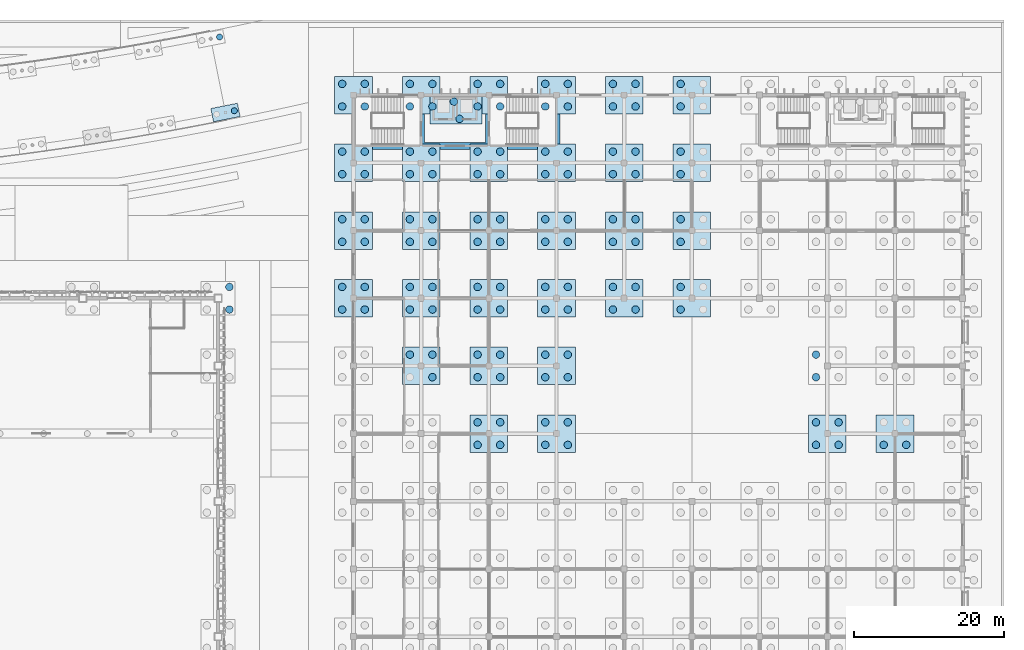
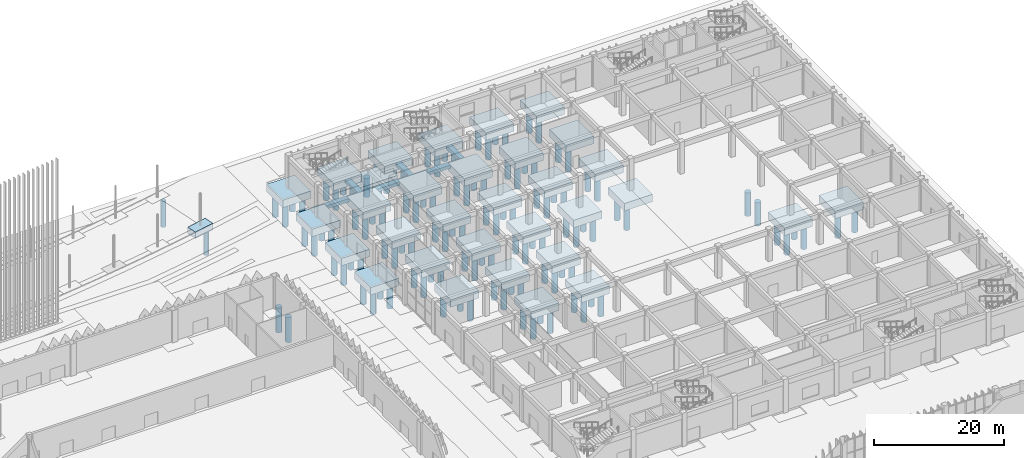
# One storey, part 16 of 198: 121 piles, 34 footings.
"""IFC4 building model written with IfcOpenShell, lengths in metres."""

from ifc_helpers import new_model, si_unit, direction, frame, origin, origin_2d, place, context, subcontext, project, spatial, polyline, circle, outline, extrude, material, layer, layer_set, material_profile, profile_set, type_object, element, save


model = new_model("IFC4")

# Units and contexts
model_context = context("Model", 3, precision=1e-05, world=origin(), true_north=direction((0.0, 1.0)))
body_context = subcontext(model_context, "Body", "Model", "MODEL_VIEW")
ifc_project = project(units=[si_unit("LENGTHUNIT", "METRE"), si_unit("AREAUNIT", "SQUARE_METRE"), si_unit("VOLUMEUNIT", "CUBIC_METRE"), si_unit("PLANEANGLEUNIT", "RADIAN"), si_unit("MASSUNIT", "GRAM", prefix="KILO")], contexts=[model_context])

# Site, building, storey
site_placement = place(None, origin())
site = spatial("IfcSite", under=ifc_project, at=site_placement, CompositionType="ELEMENT")
building_placement = place(site_placement, origin())
building = spatial("IfcBuilding", under=site, at=building_placement, Name="Opaline Strait Convention Centre", CompositionType="ELEMENT")
storey_placement = place(building_placement, origin())
storey = spatial("IfcBuildingStorey", under=building, at=storey_placement, Name="L00", CompositionType="ELEMENT", Elevation=0.0)

# Piles
ifc_material_1 = material(Name="Concrete C35", Category="concrete")
ifc_material_profile_1 = material_profile(ifc_material_1, circle(Radius=0.5, at=origin_2d()), Name="D1000")
ifc_profile_set_1 = profile_set([ifc_material_profile_1], Name="Concrete C35")
pile_type_1 = type_object("IfcPileType", Name="Bored pile D1000 C35", PredefinedType="BORED", material=ifc_profile_set_1)
for number, where, z_axis, x_axis, name in (
    (1, (262.5, 151.5, -1.300048828125), (0.0, 0.0, -1.0), (1.0, 0.0, 0.0), "Bored pile of cap 261/153"),
    (2, (262.5, 154.5, -1.300048828125), (0.0, 0.0, -1.0), (1.0, 0.0, 0.0), "Bored pile of cap 261/153"),
):
    element("IfcPile", number, at=place(storey_placement, frame(where, z_axis=z_axis, x_axis=x_axis)), inside=storey, type_object=pile_type_1, Name=name, PredefinedType="BORED", context=body_context, shape_type="SweptSolid", body=[
        extrude(circle(Radius=0.5, at=origin_2d()), origin(), (0.0, 0.0, 1.0), 4.699951171875),
    ])
ifc_material_profile_2 = material_profile(ifc_material_1, circle(Radius=0.5, at=origin_2d()), Name="D1000")
ifc_profile_set_2 = profile_set([ifc_material_profile_2], Name="Concrete C35")
pile_type_2 = type_object("IfcPileType", Name="Bored pile D1000 L3.6 C35", PredefinedType="BORED", material=ifc_profile_set_2)
for number, where, z_axis, x_axis, name in (
    (3, (292.35009765625, 179.14990234375, -2.39990234375), (0.0, 0.0, -1.0), (1.0, 0.0, 0.0), "MPL2 pile 1 of lift pit raft NW"),
    (4, (293.10009765625, 176.85009765625, -2.39990234375), (0.0, 0.0, -1.0), (1.0, 0.0, 0.0), "MPL2 pile 2 of lift pit raft NW"),
):
    element("IfcPile", number, at=place(storey_placement, frame(where, z_axis=z_axis, x_axis=x_axis)), inside=storey, type_object=pile_type_2, Name=name, PredefinedType="BORED", context=body_context, shape_type="SweptSolid", body=[
        extrude(circle(Radius=0.5, at=origin_2d()), origin(), (0.0, 0.0, 1.0), 3.60009765625),
    ])
ifc_material_profile_3 = material_profile(ifc_material_1, circle(Radius=0.5, at=origin_2d()), Name="D1000")
ifc_profile_set_3 = profile_set([ifc_material_profile_3], Name="Concrete C35")
pile_type_3 = type_object("IfcPileType", Name="Bored pile D1000 L4.4 C35", PredefinedType="BORED", material=ifc_profile_set_3)
for number, where, z_axis, x_axis, name in (
    (5, (277.5, 151.5, -1.60009765625), (0.0, 0.0, -1.0), (1.0, 0.0, 0.0), "MPL1 pile 1 of cap at 32/T"),
    (6, (277.5, 154.5, -1.60009765625), (0.0, 0.0, -1.0), (1.0, 0.0, 0.0), "MPL1 pile 2 of cap at 32/T"),
    (7, (280.5, 151.5, -1.60009765625), (0.0, 0.0, -1.0), (1.0, 0.0, 0.0), "MPL1 pile 3 of cap at 32/T"),
    (8, (280.5, 154.5, -1.60009765625), (0.0, 0.0, -1.0), (1.0, 0.0, 0.0), "MPL1 pile 4 of cap at 32/T"),
    (9, (277.5, 160.5, -1.60009765625), (0.0, 0.0, -1.0), (1.0, 0.0, 0.0), "MPL1 pile 1 of cap at 32/U"),
    (10, (277.5, 163.5, -1.60009765625), (0.0, 0.0, -1.0), (1.0, 0.0, 0.0), "MPL1 pile 2 of cap at 32/U"),
    (11, (280.5, 160.5, -1.60009765625), (0.0, 0.0, -1.0), (1.0, 0.0, 0.0), "MPL1 pile 3 of cap at 32/U"),
    (12, (280.5, 163.5, -1.60009765625), (0.0, 0.0, -1.0), (1.0, 0.0, 0.0), "MPL1 pile 4 of cap at 32/U"),
    (13, (277.5, 169.5, -1.60009765625), (0.0, 0.0, -1.0), (1.0, 0.0, 0.0), "MPL1 pile 1 of cap at 32/V"),
    (14, (277.5, 172.5, -1.60009765625), (0.0, 0.0, -1.0), (1.0, 0.0, 0.0), "MPL1 pile 2 of cap at 32/V"),
    (15, (280.5, 169.5, -1.60009765625), (0.0, 0.0, -1.0), (1.0, 0.0, 0.0), "MPL1 pile 3 of cap at 32/V"),
    (16, (280.5, 172.5, -1.60009765625), (0.0, 0.0, -1.0), (1.0, 0.0, 0.0), "MPL1 pile 4 of cap at 32/V"),
    (17, (277.5, 178.5, -1.60009765625), (0.0, 0.0, -1.0), (1.0, 0.0, 0.0), "MPL1 pile 1 of cap at 32/W"),
    (18, (277.5, 181.5, -1.60009765625), (0.0, 0.0, -1.0), (1.0, 0.0, 0.0), "MPL1 pile 2 of cap at 32/W"),
    (19, (280.5, 178.5, -1.60009765625), (0.0, 0.0, -1.0), (1.0, 0.0, 0.0), "MPL1 pile 3 of cap at 32/W"),
    (20, (280.5, 181.5, -1.60009765625), (0.0, 0.0, -1.0), (1.0, 0.0, 0.0), "MPL1 pile 4 of cap at 32/W"),
    (21, (286.5, 145.5, -1.60009765625), (0.0, 0.0, -1.0), (1.0, 0.0, 0.0), "MPL1 pile 2 of cap at 33/S"),
    (22, (289.5, 142.5, -1.60009765625), (0.0, 0.0, -1.0), (1.0, 0.0, 0.0), "MPL1 pile 3 of cap at 33/S"),
    (23, (289.5, 145.5, -1.60009765625), (0.0, 0.0, -1.0), (1.0, 0.0, 0.0), "MPL1 pile 4 of cap at 33/S"),
    (24, (286.5, 151.5, -1.60009765625), (0.0, 0.0, -1.0), (1.0, 0.0, 0.0), "MPL1 pile 1 of cap at 33/T"),
    (25, (286.5, 154.5, -1.60009765625), (0.0, 0.0, -1.0), (1.0, 0.0, 0.0), "MPL1 pile 2 of cap at 33/T"),
    (26, (289.5, 151.5, -1.60009765625), (0.0, 0.0, -1.0), (1.0, 0.0, 0.0), "MPL1 pile 3 of cap at 33/T"),
    (27, (289.5, 154.5, -1.60009765625), (0.0, 0.0, -1.0), (1.0, 0.0, 0.0), "MPL1 pile 4 of cap at 33/T"),
    (28, (286.5, 160.5, -1.60009765625), (0.0, 0.0, -1.0), (1.0, 0.0, 0.0), "MPL1 pile 1 of cap at 33/U"),
    (29, (286.5, 163.5, -1.60009765625), (0.0, 0.0, -1.0), (1.0, 0.0, 0.0), "MPL1 pile 2 of cap at 33/U"),
    (30, (289.5, 160.5, -1.60009765625), (0.0, 0.0, -1.0), (1.0, 0.0, 0.0), "MPL1 pile 3 of cap at 33/U"),
    (31, (289.5, 163.5, -1.60009765625), (0.0, 0.0, -1.0), (1.0, 0.0, 0.0), "MPL1 pile 4 of cap at 33/U"),
    (32, (286.5, 169.5, -1.60009765625), (0.0, 0.0, -1.0), (1.0, 0.0, 0.0), "MPL1 pile 1 of cap at 33/V"),
    (33, (286.5, 172.5, -1.60009765625), (0.0, 0.0, -1.0), (1.0, 0.0, 0.0), "MPL1 pile 2 of cap at 33/V"),
    (34, (289.5, 169.5, -1.60009765625), (0.0, 0.0, -1.0), (1.0, 0.0, 0.0), "MPL1 pile 3 of cap at 33/V"),
    (35, (289.5, 172.5, -1.60009765625), (0.0, 0.0, -1.0), (1.0, 0.0, 0.0), "MPL1 pile 4 of cap at 33/V"),
    (36, (286.5, 178.5, -1.60009765625), (0.0, 0.0, -1.0), (1.0, 0.0, 0.0), "MPL1 pile 1 of cap at 33/W"),
    (37, (286.5, 181.5, -1.60009765625), (0.0, 0.0, -1.0), (1.0, 0.0, 0.0), "MPL1 pile 2 of cap at 33/W"),
    (38, (289.5, 178.5, -1.60009765625), (0.0, 0.0, -1.0), (1.0, 0.0, 0.0), "MPL1 pile 3 of cap at 33/W"),
    (39, (289.5, 181.5, -1.60009765625), (0.0, 0.0, -1.0), (1.0, 0.0, 0.0), "MPL1 pile 4 of cap at 33/W"),
    (40, (295.5, 133.5, -1.60009765625), (0.0, 0.0, -1.0), (1.0, 0.0, 0.0), "MPL1 pile 1 of cap at 34/R"),
    (41, (295.5, 136.5, -1.60009765625), (0.0, 0.0, -1.0), (1.0, 0.0, 0.0), "MPL1 pile 2 of cap at 34/R"),
    (42, (298.5, 133.5, -1.60009765625), (0.0, 0.0, -1.0), (1.0, 0.0, 0.0), "MPL1 pile 3 of cap at 34/R"),
    (43, (298.5, 136.5, -1.60009765625), (0.0, 0.0, -1.0), (1.0, 0.0, 0.0), "MPL1 pile 4 of cap at 34/R"),
    (44, (295.5, 142.5, -1.60009765625), (0.0, 0.0, -1.0), (1.0, 0.0, 0.0), "MPL1 pile 1 of cap at 34/S"),
    (45, (295.5, 145.5, -1.60009765625), (0.0, 0.0, -1.0), (1.0, 0.0, 0.0), "MPL1 pile 2 of cap at 34/S"),
    (46, (298.5, 142.5, -1.60009765625), (0.0, 0.0, -1.0), (1.0, 0.0, 0.0), "MPL1 pile 3 of cap at 34/S"),
    (47, (298.5, 145.5, -1.60009765625), (0.0, 0.0, -1.0), (1.0, 0.0, 0.0), "MPL1 pile 4 of cap at 34/S"),
    (48, (295.5, 151.5, -1.60009765625), (0.0, 0.0, -1.0), (1.0, 0.0, 0.0), "MPL1 pile 1 of cap at 34/T"),
    (49, (295.5, 154.5, -1.60009765625), (0.0, 0.0, -1.0), (1.0, 0.0, 0.0), "MPL1 pile 2 of cap at 34/T"),
    (50, (298.5, 151.5, -1.60009765625), (0.0, 0.0, -1.0), (1.0, 0.0, 0.0), "MPL1 pile 3 of cap at 34/T"),
    (51, (298.5, 154.5, -1.60009765625), (0.0, 0.0, -1.0), (1.0, 0.0, 0.0), "MPL1 pile 4 of cap at 34/T"),
    (52, (295.5, 160.5, -1.60009765625), (0.0, 0.0, -1.0), (1.0, 0.0, 0.0), "MPL1 pile 1 of cap at 34/U"),
    (53, (295.5, 163.5, -1.60009765625), (0.0, 0.0, -1.0), (1.0, 0.0, 0.0), "MPL1 pile 2 of cap at 34/U"),
    (54, (298.5, 160.5, -1.60009765625), (0.0, 0.0, -1.0), (1.0, 0.0, 0.0), "MPL1 pile 3 of cap at 34/U"),
    (55, (298.5, 163.5, -1.60009765625), (0.0, 0.0, -1.0), (1.0, 0.0, 0.0), "MPL1 pile 4 of cap at 34/U"),
    (56, (295.5, 169.5, -1.60009765625), (0.0, 0.0, -1.0), (1.0, 0.0, 0.0), "MPL1 pile 1 of cap at 34/V"),
    (57, (295.5, 172.5, -1.60009765625), (0.0, 0.0, -1.0), (1.0, 0.0, 0.0), "MPL1 pile 2 of cap at 34/V"),
    (58, (298.5, 169.5, -1.60009765625), (0.0, 0.0, -1.0), (1.0, 0.0, 0.0), "MPL1 pile 3 of cap at 34/V"),
    (59, (298.5, 172.5, -1.60009765625), (0.0, 0.0, -1.0), (1.0, 0.0, 0.0), "MPL1 pile 4 of cap at 34/V"),
    (60, (295.5, 178.5, -1.60009765625), (0.0, 0.0, -1.0), (1.0, 0.0, 0.0), "MPL1 pile 1 of cap at 34/W"),
    (61, (295.5, 181.5, -1.60009765625), (0.0, 0.0, -1.0), (1.0, 0.0, 0.0), "MPL1 pile 2 of cap at 34/W"),
    (62, (298.5, 178.5, -1.60009765625), (0.0, 0.0, -1.0), (1.0, 0.0, 0.0), "MPL1 pile 3 of cap at 34/W"),
    (63, (298.5, 181.5, -1.60009765625), (0.0, 0.0, -1.0), (1.0, 0.0, 0.0), "MPL1 pile 4 of cap at 34/W"),
    (64, (304.5, 133.5, -1.60009765625), (0.0, 0.0, -1.0), (1.0, 0.0, 0.0), "MPL1 pile 1 of cap at 35/R"),
    (65, (304.5, 136.5, -1.60009765625), (0.0, 0.0, -1.0), (1.0, 0.0, 0.0), "MPL1 pile 2 of cap at 35/R"),
    (66, (307.5, 133.5, -1.60009765625), (0.0, 0.0, -1.0), (1.0, 0.0, 0.0), "MPL1 pile 3 of cap at 35/R"),
    (67, (307.5, 136.5, -1.60009765625), (0.0, 0.0, -1.0), (1.0, 0.0, 0.0), "MPL1 pile 4 of cap at 35/R"),
    (68, (304.5, 142.5, -1.60009765625), (0.0, 0.0, -1.0), (1.0, 0.0, 0.0), "MPL1 pile 1 of cap at 35/S"),
    (69, (304.5, 145.5, -1.60009765625), (0.0, 0.0, -1.0), (1.0, 0.0, 0.0), "MPL1 pile 2 of cap at 35/S"),
    (70, (307.5, 142.5, -1.60009765625), (0.0, 0.0, -1.0), (1.0, 0.0, 0.0), "MPL1 pile 3 of cap at 35/S"),
    (71, (307.5, 145.5, -1.60009765625), (0.0, 0.0, -1.0), (1.0, 0.0, 0.0), "MPL1 pile 4 of cap at 35/S"),
    (72, (304.5, 151.5, -1.60009765625), (0.0, 0.0, -1.0), (1.0, 0.0, 0.0), "MPL1 pile 1 of cap at 35/T"),
    (73, (304.5, 154.5, -1.60009765625), (0.0, 0.0, -1.0), (1.0, 0.0, 0.0), "MPL1 pile 2 of cap at 35/T"),
    (74, (307.5, 151.5, -1.60009765625), (0.0, 0.0, -1.0), (1.0, 0.0, 0.0), "MPL1 pile 3 of cap at 35/T"),
    (75, (307.5, 154.5, -1.60009765625), (0.0, 0.0, -1.0), (1.0, 0.0, 0.0), "MPL1 pile 4 of cap at 35/T"),
    (76, (304.5, 160.5, -1.60009765625), (0.0, 0.0, -1.0), (1.0, 0.0, 0.0), "MPL1 pile 1 of cap at 35/U"),
    (77, (304.5, 163.5, -1.60009765625), (0.0, 0.0, -1.0), (1.0, 0.0, 0.0), "MPL1 pile 2 of cap at 35/U"),
    (78, (307.5, 160.5, -1.60009765625), (0.0, 0.0, -1.0), (1.0, 0.0, 0.0), "MPL1 pile 3 of cap at 35/U"),
    (79, (307.5, 163.5, -1.60009765625), (0.0, 0.0, -1.0), (1.0, 0.0, 0.0), "MPL1 pile 4 of cap at 35/U"),
    (80, (304.5, 169.5, -1.60009765625), (0.0, 0.0, -1.0), (1.0, 0.0, 0.0), "MPL1 pile 1 of cap at 35/V"),
    (81, (304.5, 172.5, -1.60009765625), (0.0, 0.0, -1.0), (1.0, 0.0, 0.0), "MPL1 pile 2 of cap at 35/V"),
    (82, (307.5, 169.5, -1.60009765625), (0.0, 0.0, -1.0), (1.0, 0.0, 0.0), "MPL1 pile 3 of cap at 35/V"),
    (83, (307.5, 172.5, -1.60009765625), (0.0, 0.0, -1.0), (1.0, 0.0, 0.0), "MPL1 pile 4 of cap at 35/V"),
    (84, (304.5, 178.5, -1.60009765625), (0.0, 0.0, -1.0), (1.0, 0.0, 0.0), "MPL1 pile 1 of cap at 35/W"),
    (85, (304.5, 181.5, -1.60009765625), (0.0, 0.0, -1.0), (1.0, 0.0, 0.0), "MPL1 pile 2 of cap at 35/W"),
    (86, (307.5, 178.5, -1.60009765625), (0.0, 0.0, -1.0), (1.0, 0.0, 0.0), "MPL1 pile 3 of cap at 35/W"),
    (87, (307.5, 181.5, -1.60009765625), (0.0, 0.0, -1.0), (1.0, 0.0, 0.0), "MPL1 pile 4 of cap at 35/W"),
    (88, (313.5, 151.5, -1.60009765625), (0.0, 0.0, -1.0), (1.0, 0.0, 0.0), "MPL1 pile 1 of cap at 36/T"),
    (89, (313.5, 154.5, -1.60009765625), (0.0, 0.0, -1.0), (1.0, 0.0, 0.0), "MPL1 pile 2 of cap at 36/T"),
    (90, (316.5, 151.5, -1.60009765625), (0.0, 0.0, -1.0), (1.0, 0.0, 0.0), "MPL1 pile 3 of cap at 36/T"),
    (91, (316.5, 154.5, -1.60009765625), (0.0, 0.0, -1.0), (1.0, 0.0, 0.0), "MPL1 pile 4 of cap at 36/T"),
    (92, (313.5, 160.5, -1.60009765625), (0.0, 0.0, -1.0), (1.0, 0.0, 0.0), "MPL1 pile 1 of cap at 36/U"),
    (93, (313.5, 163.5, -1.60009765625), (0.0, 0.0, -1.0), (1.0, 0.0, 0.0), "MPL1 pile 2 of cap at 36/U"),
    (94, (316.5, 160.5, -1.60009765625), (0.0, 0.0, -1.0), (1.0, 0.0, 0.0), "MPL1 pile 3 of cap at 36/U"),
    (95, (316.5, 163.5, -1.60009765625), (0.0, 0.0, -1.0), (1.0, 0.0, 0.0), "MPL1 pile 4 of cap at 36/U"),
    (96, (313.5, 169.5, -1.60009765625), (0.0, 0.0, -1.0), (1.0, 0.0, 0.0), "MPL1 pile 1 of cap at 36/V"),
    (97, (313.5, 172.5, -1.60009765625), (0.0, 0.0, -1.0), (1.0, 0.0, 0.0), "MPL1 pile 2 of cap at 36/V"),
    (98, (316.5, 169.5, -1.60009765625), (0.0, 0.0, -1.0), (1.0, 0.0, 0.0), "MPL1 pile 3 of cap at 36/V"),
    (99, (316.5, 172.5, -1.60009765625), (0.0, 0.0, -1.0), (1.0, 0.0, 0.0), "MPL1 pile 4 of cap at 36/V"),
    (100, (313.5, 178.5, -1.60009765625), (0.0, 0.0, -1.0), (1.0, 0.0, 0.0), "MPL1 pile 1 of cap at 36/W"),
    (101, (313.5, 181.5, -1.60009765625), (0.0, 0.0, -1.0), (1.0, 0.0, 0.0), "MPL1 pile 2 of cap at 36/W"),
    (102, (316.5, 178.5, -1.60009765625), (0.0, 0.0, -1.0), (1.0, 0.0, 0.0), "MPL1 pile 3 of cap at 36/W"),
    (103, (316.5, 181.5, -1.60009765625), (0.0, 0.0, -1.0), (1.0, 0.0, 0.0), "MPL1 pile 4 of cap at 36/W"),
    (104, (322.5, 151.5, -1.60009765625), (0.0, 0.0, -1.0), (1.0, 0.0, 0.0), "MPL1 pile 1 of cap at 37/T"),
    (105, (322.5, 154.5, -1.60009765625), (0.0, 0.0, -1.0), (1.0, 0.0, 0.0), "MPL1 pile 2 of cap at 37/T"),
    (106, (322.5, 160.5, -1.60009765625), (0.0, 0.0, -1.0), (1.0, 0.0, 0.0), "MPL1 pile 1 of cap at 37/U"),
    (107, (322.5, 163.5, -1.60009765625), (0.0, 0.0, -1.0), (1.0, 0.0, 0.0), "MPL1 pile 2 of cap at 37/U"),
    (108, (322.5, 169.5, -1.60009765625), (0.0, 0.0, -1.0), (1.0, 0.0, 0.0), "MPL1 pile 1 of cap at 37/V"),
    (109, (322.5, 172.5, -1.60009765625), (0.0, 0.0, -1.0), (1.0, 0.0, 0.0), "MPL1 pile 2 of cap at 37/V"),
    (110, (322.5, 178.5, -1.60009765625), (0.0, 0.0, -1.0), (1.0, 0.0, 0.0), "MPL1 pile 1 of cap at 37/W"),
    (111, (322.5, 181.5, -1.60009765625), (0.0, 0.0, -1.0), (1.0, 0.0, 0.0), "MPL1 pile 2 of cap at 37/W"),
    (112, (340.5, 133.5, -1.60009765625), (0.0, 0.0, -1.0), (1.0, 0.0, 0.0), "MPL1 pile 1 of cap at 39/R"),
    (113, (340.5, 136.5, -1.60009765625), (0.0, 0.0, -1.0), (1.0, 0.0, 0.0), "MPL1 pile 2 of cap at 39/R"),
    (114, (343.5, 133.5, -1.60009765625), (0.0, 0.0, -1.0), (1.0, 0.0, 0.0), "MPL1 pile 3 of cap at 39/R"),
    (115, (343.5, 136.5, -1.60009765625), (0.0, 0.0, -1.0), (1.0, 0.0, 0.0), "MPL1 pile 4 of cap at 39/R"),
    (116, (340.5, 142.5, -1.60009765625), (0.0, 0.0, -1.0), (1.0, 0.0, 0.0), "MPL1 pile 1 of cap at 39/S"),
    (117, (340.5, 145.5, -1.60009765625), (0.0, 0.0, -1.0), (1.0, 0.0, 0.0), "MPL1 pile 2 of cap at 39/S"),
    (118, (349.5, 133.5, -1.60009765625), (0.0, 0.0, -1.0), (1.0, 0.0, 0.0), "MPL1 pile 1 of cap at 40/R"),
    (119, (352.5, 133.5, -1.60009765625), (0.0, 0.0, -1.0), (1.0, 0.0, 0.0), "MPL1 pile 3 of cap at 40/R"),
):
    element("IfcPile", number, at=place(storey_placement, frame(where, z_axis=z_axis, x_axis=x_axis)), inside=storey, type_object=pile_type_3, Name=name, PredefinedType="BORED", context=body_context, shape_type="SweptSolid", body=[
        extrude(circle(Radius=0.5, at=origin_2d()), origin(), (0.0, 0.0, 1.0), 4.39990234375),
    ])
ifc_material_profile_4 = material_profile(ifc_material_1, circle(Radius=0.39990234375, at=origin_2d()), Name="D800")
ifc_profile_set_4 = profile_set([ifc_material_profile_4], Name="Concrete C35")
pile_type_4 = type_object("IfcPileType", Name="Bored pile D800 L4.9 C35", PredefinedType="BORED", material=ifc_profile_set_4)
for number, where, z_axis, x_axis, name in (
    (120, (263.1572265625, 177.932373046875, -1.10009765625), (0.0, 0.0, -1.0), (1.0, 0.0, 0.0), "Bored pile of arcade cap SC-I20"),
    (121, (261.196044921875, 187.73828125, -1.10009765625), (0.0, 0.0, -1.0), (1.0, 0.0, 0.0), "Bored pile of arcade cap SC-O20"),
):
    element("IfcPile", number, at=place(storey_placement, frame(where, z_axis=z_axis, x_axis=x_axis)), inside=storey, type_object=pile_type_4, Name=name, PredefinedType="BORED", context=body_context, shape_type="SweptSolid", body=[
        extrude(circle(Radius=0.39990234375, at=origin_2d()), origin(), (0.0, 0.0, 1.0), 4.89990234375),
    ])

# Footings
ifc_material_2 = material(Name="Concrete C40", Category="concrete")
ifc_layer_1 = layer(ifc_material_2, 1.199951171875)
ifc_layer_set_1 = layer_set([ifc_layer_1], Name="Concrete C40")
footing_type_1 = type_object("IfcFootingType", Name="Pile cap 3600 x 1800 x 1200 C40", PredefinedType="PILE_CAP", material=ifc_layer_set_1)
footing_1_placement = place(storey_placement, frame((0.0, 0.0, -1.199951171875)))
element("IfcFooting", 122, at=footing_1_placement, inside=storey, type_object=footing_type_1, Name="Arcade pile cap at SC-I20", PredefinedType="PILE_CAP", context=body_context, shape_type="SweptSolid", body=[
    extrude(outline(polyline([(260.39208984375, 176.461669921875), (263.922119140625, 177.16748046875), (263.569091796875, 178.9326171875), (260.0390625, 178.2265625), (260.39208984375, 176.461669921875)])), origin(), (0.0, 0.0, 1.0), 1.199951171875),
])
ifc_layer_2 = layer(ifc_material_2, 1.39990234375)
ifc_layer_set_2 = layer_set([ifc_layer_2], Name="Concrete C40")
footing_type_2 = type_object("IfcFootingType", Name="Pile cap 4 piles 5000x5000x1400 C40", PredefinedType="PILE_CAP", material=ifc_layer_set_2)
footing_2_placement = place(storey_placement, frame((0.0, 0.0, -1.699951171875)))
element("IfcFooting", 123, at=footing_2_placement, inside=storey, type_object=footing_type_2, Name="MPC1 pile cap at 32/T", PredefinedType="PILE_CAP", context=body_context, shape_type="SweptSolid", body=[
    extrude(outline(polyline([(276.5, 150.5), (281.5, 150.5), (281.5, 155.5), (276.5, 155.5), (276.5, 150.5)])), origin(), (0.0, 0.0, 1.0), 1.39990234375),
])
footing_3_placement = place(storey_placement, frame((0.0, 0.0, -1.699951171875)))
element("IfcFooting", 124, at=footing_3_placement, inside=storey, type_object=footing_type_2, Name="MPC1 pile cap at 32/U", PredefinedType="PILE_CAP", context=body_context, shape_type="SweptSolid", body=[
    extrude(outline(polyline([(276.5, 159.5), (281.5, 159.5), (281.5, 164.5), (276.5, 164.5), (276.5, 159.5)])), origin(), (0.0, 0.0, 1.0), 1.39990234375),
])
footing_4_placement = place(storey_placement, frame((0.0, 0.0, -1.699951171875)))
element("IfcFooting", 125, at=footing_4_placement, inside=storey, type_object=footing_type_2, Name="MPC1 pile cap at 32/V", PredefinedType="PILE_CAP", context=body_context, shape_type="SweptSolid", body=[
    extrude(outline(polyline([(276.5, 168.5), (281.5, 168.5), (281.5, 173.5), (276.5, 173.5), (276.5, 168.5)])), origin(), (0.0, 0.0, 1.0), 1.39990234375),
])
footing_5_placement = place(storey_placement, frame((0.0, 0.0, -1.699951171875)))
element("IfcFooting", 126, at=footing_5_placement, inside=storey, type_object=footing_type_2, Name="MPC1 pile cap at 32/W", PredefinedType="PILE_CAP", context=body_context, shape_type="SweptSolid", body=[
    extrude(outline(polyline([(276.5, 177.5), (281.5, 177.5), (281.5, 182.5), (276.5, 182.5), (276.5, 177.5)])), origin(), (0.0, 0.0, 1.0), 1.39990234375),
])
footing_6_placement = place(storey_placement, frame((0.0, 0.0, -1.699951171875)))
element("IfcFooting", 127, at=footing_6_placement, inside=storey, type_object=footing_type_2, Name="MPC1 pile cap at 33/S", PredefinedType="PILE_CAP", context=body_context, shape_type="SweptSolid", body=[
    extrude(outline(polyline([(285.5, 141.5), (290.5, 141.5), (290.5, 146.5), (285.5, 146.5), (285.5, 141.5)])), origin(), (0.0, 0.0, 1.0), 1.39990234375),
])
footing_7_placement = place(storey_placement, frame((0.0, 0.0, -1.699951171875)))
element("IfcFooting", 128, at=footing_7_placement, inside=storey, type_object=footing_type_2, Name="MPC1 pile cap at 33/T", PredefinedType="PILE_CAP", context=body_context, shape_type="SweptSolid", body=[
    extrude(outline(polyline([(285.5, 150.5), (290.5, 150.5), (290.5, 155.5), (285.5, 155.5), (285.5, 150.5)])), origin(), (0.0, 0.0, 1.0), 1.39990234375),
])
footing_8_placement = place(storey_placement, frame((0.0, 0.0, -1.699951171875)))
element("IfcFooting", 129, at=footing_8_placement, inside=storey, type_object=footing_type_2, Name="MPC1 pile cap at 33/U", PredefinedType="PILE_CAP", context=body_context, shape_type="SweptSolid", body=[
    extrude(outline(polyline([(285.5, 159.5), (290.5, 159.5), (290.5, 164.5), (285.5, 164.5), (285.5, 159.5)])), origin(), (0.0, 0.0, 1.0), 1.39990234375),
])
footing_9_placement = place(storey_placement, frame((0.0, 0.0, -1.699951171875)))
element("IfcFooting", 130, at=footing_9_placement, inside=storey, type_object=footing_type_2, Name="MPC1 pile cap at 33/V", PredefinedType="PILE_CAP", context=body_context, shape_type="SweptSolid", body=[
    extrude(outline(polyline([(285.5, 168.5), (290.5, 168.5), (290.5, 173.5), (285.5, 173.5), (285.5, 168.5)])), origin(), (0.0, 0.0, 1.0), 1.39990234375),
])
footing_10_placement = place(storey_placement, frame((0.0, 0.0, -1.699951171875)))
element("IfcFooting", 131, at=footing_10_placement, inside=storey, type_object=footing_type_2, Name="MPC1 pile cap at 33/W", PredefinedType="PILE_CAP", context=body_context, shape_type="SweptSolid", body=[
    extrude(outline(polyline([(285.5, 177.5), (290.5, 177.5), (290.5, 182.5), (285.5, 182.5), (285.5, 177.5)])), origin(), (0.0, 0.0, 1.0), 1.39990234375),
])
footing_11_placement = place(storey_placement, frame((0.0, 0.0, -1.699951171875)))
element("IfcFooting", 132, at=footing_11_placement, inside=storey, type_object=footing_type_2, Name="MPC1 pile cap at 34/R", PredefinedType="PILE_CAP", context=body_context, shape_type="SweptSolid", body=[
    extrude(outline(polyline([(294.5, 132.5), (299.5, 132.5), (299.5, 137.5), (294.5, 137.5), (294.5, 132.5)])), origin(), (0.0, 0.0, 1.0), 1.39990234375),
])
footing_12_placement = place(storey_placement, frame((0.0, 0.0, -1.699951171875)))
element("IfcFooting", 133, at=footing_12_placement, inside=storey, type_object=footing_type_2, Name="MPC1 pile cap at 34/S", PredefinedType="PILE_CAP", context=body_context, shape_type="SweptSolid", body=[
    extrude(outline(polyline([(294.5, 141.5), (299.5, 141.5), (299.5, 146.5), (294.5, 146.5), (294.5, 141.5)])), origin(), (0.0, 0.0, 1.0), 1.39990234375),
])
footing_13_placement = place(storey_placement, frame((0.0, 0.0, -1.699951171875)))
element("IfcFooting", 134, at=footing_13_placement, inside=storey, type_object=footing_type_2, Name="MPC1 pile cap at 34/T", PredefinedType="PILE_CAP", context=body_context, shape_type="SweptSolid", body=[
    extrude(outline(polyline([(294.5, 150.5), (299.5, 150.5), (299.5, 155.5), (294.5, 155.5), (294.5, 150.5)])), origin(), (0.0, 0.0, 1.0), 1.39990234375),
])
footing_14_placement = place(storey_placement, frame((0.0, 0.0, -1.699951171875)))
element("IfcFooting", 135, at=footing_14_placement, inside=storey, type_object=footing_type_2, Name="MPC1 pile cap at 34/U", PredefinedType="PILE_CAP", context=body_context, shape_type="SweptSolid", body=[
    extrude(outline(polyline([(294.5, 159.5), (299.5, 159.5), (299.5, 164.5), (294.5, 164.5), (294.5, 159.5)])), origin(), (0.0, 0.0, 1.0), 1.39990234375),
])
footing_15_placement = place(storey_placement, frame((0.0, 0.0, -1.699951171875)))
element("IfcFooting", 136, at=footing_15_placement, inside=storey, type_object=footing_type_2, Name="MPC1 pile cap at 34/V", PredefinedType="PILE_CAP", context=body_context, shape_type="SweptSolid", body=[
    extrude(outline(polyline([(294.5, 168.5), (299.5, 168.5), (299.5, 173.5), (294.5, 173.5), (294.5, 168.5)])), origin(), (0.0, 0.0, 1.0), 1.39990234375),
])
footing_16_placement = place(storey_placement, frame((0.0, 0.0, -1.699951171875)))
element("IfcFooting", 137, at=footing_16_placement, inside=storey, type_object=footing_type_2, Name="MPC1 pile cap at 34/W", PredefinedType="PILE_CAP", context=body_context, shape_type="SweptSolid", body=[
    extrude(outline(polyline([(294.5, 177.5), (299.5, 177.5), (299.5, 182.5), (294.5, 182.5), (294.5, 177.5)])), origin(), (0.0, 0.0, 1.0), 1.39990234375),
])
footing_17_placement = place(storey_placement, frame((0.0, 0.0, -1.699951171875)))
element("IfcFooting", 138, at=footing_17_placement, inside=storey, type_object=footing_type_2, Name="MPC1 pile cap at 35/R", PredefinedType="PILE_CAP", context=body_context, shape_type="SweptSolid", body=[
    extrude(outline(polyline([(303.5, 132.5), (308.5, 132.5), (308.5, 137.5), (303.5, 137.5), (303.5, 132.5)])), origin(), (0.0, 0.0, 1.0), 1.39990234375),
])
footing_18_placement = place(storey_placement, frame((0.0, 0.0, -1.699951171875)))
element("IfcFooting", 139, at=footing_18_placement, inside=storey, type_object=footing_type_2, Name="MPC1 pile cap at 35/S", PredefinedType="PILE_CAP", context=body_context, shape_type="SweptSolid", body=[
    extrude(outline(polyline([(303.5, 141.5), (308.5, 141.5), (308.5, 146.5), (303.5, 146.5), (303.5, 141.5)])), origin(), (0.0, 0.0, 1.0), 1.39990234375),
])
footing_19_placement = place(storey_placement, frame((0.0, 0.0, -1.699951171875)))
element("IfcFooting", 140, at=footing_19_placement, inside=storey, type_object=footing_type_2, Name="MPC1 pile cap at 35/T", PredefinedType="PILE_CAP", context=body_context, shape_type="SweptSolid", body=[
    extrude(outline(polyline([(303.5, 150.5), (308.5, 150.5), (308.5, 155.5), (303.5, 155.5), (303.5, 150.5)])), origin(), (0.0, 0.0, 1.0), 1.39990234375),
])
footing_20_placement = place(storey_placement, frame((0.0, 0.0, -1.699951171875)))
element("IfcFooting", 141, at=footing_20_placement, inside=storey, type_object=footing_type_2, Name="MPC1 pile cap at 35/U", PredefinedType="PILE_CAP", context=body_context, shape_type="SweptSolid", body=[
    extrude(outline(polyline([(303.5, 159.5), (308.5, 159.5), (308.5, 164.5), (303.5, 164.5), (303.5, 159.5)])), origin(), (0.0, 0.0, 1.0), 1.39990234375),
])
footing_21_placement = place(storey_placement, frame((0.0, 0.0, -1.699951171875)))
element("IfcFooting", 142, at=footing_21_placement, inside=storey, type_object=footing_type_2, Name="MPC1 pile cap at 35/V", PredefinedType="PILE_CAP", context=body_context, shape_type="SweptSolid", body=[
    extrude(outline(polyline([(303.5, 168.5), (308.5, 168.5), (308.5, 173.5), (303.5, 173.5), (303.5, 168.5)])), origin(), (0.0, 0.0, 1.0), 1.39990234375),
])
footing_22_placement = place(storey_placement, frame((0.0, 0.0, -1.699951171875)))
element("IfcFooting", 143, at=footing_22_placement, inside=storey, type_object=footing_type_2, Name="MPC1 pile cap at 35/W", PredefinedType="PILE_CAP", context=body_context, shape_type="SweptSolid", body=[
    extrude(outline(polyline([(303.5, 177.5), (308.5, 177.5), (308.5, 182.5), (303.5, 182.5), (303.5, 177.5)])), origin(), (0.0, 0.0, 1.0), 1.39990234375),
])
footing_23_placement = place(storey_placement, frame((0.0, 0.0, -1.699951171875)))
element("IfcFooting", 144, at=footing_23_placement, inside=storey, type_object=footing_type_2, Name="MPC1 pile cap at 36/T", PredefinedType="PILE_CAP", context=body_context, shape_type="SweptSolid", body=[
    extrude(outline(polyline([(312.5, 150.5), (317.5, 150.5), (317.5, 155.5), (312.5, 155.5), (312.5, 150.5)])), origin(), (0.0, 0.0, 1.0), 1.39990234375),
])
footing_24_placement = place(storey_placement, frame((0.0, 0.0, -1.699951171875)))
element("IfcFooting", 145, at=footing_24_placement, inside=storey, type_object=footing_type_2, Name="MPC1 pile cap at 36/U", PredefinedType="PILE_CAP", context=body_context, shape_type="SweptSolid", body=[
    extrude(outline(polyline([(312.5, 159.5), (317.5, 159.5), (317.5, 164.5), (312.5, 164.5), (312.5, 159.5)])), origin(), (0.0, 0.0, 1.0), 1.39990234375),
])
footing_25_placement = place(storey_placement, frame((0.0, 0.0, -1.699951171875)))
element("IfcFooting", 146, at=footing_25_placement, inside=storey, type_object=footing_type_2, Name="MPC1 pile cap at 36/V", PredefinedType="PILE_CAP", context=body_context, shape_type="SweptSolid", body=[
    extrude(outline(polyline([(312.5, 168.5), (317.5, 168.5), (317.5, 173.5), (312.5, 173.5), (312.5, 168.5)])), origin(), (0.0, 0.0, 1.0), 1.39990234375),
])
footing_26_placement = place(storey_placement, frame((0.0, 0.0, -1.699951171875)))
element("IfcFooting", 147, at=footing_26_placement, inside=storey, type_object=footing_type_2, Name="MPC1 pile cap at 36/W", PredefinedType="PILE_CAP", context=body_context, shape_type="SweptSolid", body=[
    extrude(outline(polyline([(312.5, 177.5), (317.5, 177.5), (317.5, 182.5), (312.5, 182.5), (312.5, 177.5)])), origin(), (0.0, 0.0, 1.0), 1.39990234375),
])
footing_27_placement = place(storey_placement, frame((0.0, 0.0, -1.699951171875)))
element("IfcFooting", 148, at=footing_27_placement, inside=storey, type_object=footing_type_2, Name="MPC1 pile cap at 37/T", PredefinedType="PILE_CAP", context=body_context, shape_type="SweptSolid", body=[
    extrude(outline(polyline([(321.5, 150.5), (326.5, 150.5), (326.5, 155.5), (321.5, 155.5), (321.5, 150.5)])), origin(), (0.0, 0.0, 1.0), 1.39990234375),
])
footing_28_placement = place(storey_placement, frame((0.0, 0.0, -1.699951171875)))
element("IfcFooting", 149, at=footing_28_placement, inside=storey, type_object=footing_type_2, Name="MPC1 pile cap at 37/U", PredefinedType="PILE_CAP", context=body_context, shape_type="SweptSolid", body=[
    extrude(outline(polyline([(321.5, 159.5), (326.5, 159.5), (326.5, 164.5), (321.5, 164.5), (321.5, 159.5)])), origin(), (0.0, 0.0, 1.0), 1.39990234375),
])
footing_29_placement = place(storey_placement, frame((0.0, 0.0, -1.699951171875)))
element("IfcFooting", 150, at=footing_29_placement, inside=storey, type_object=footing_type_2, Name="MPC1 pile cap at 37/V", PredefinedType="PILE_CAP", context=body_context, shape_type="SweptSolid", body=[
    extrude(outline(polyline([(321.5, 168.5), (326.5, 168.5), (326.5, 173.5), (321.5, 173.5), (321.5, 168.5)])), origin(), (0.0, 0.0, 1.0), 1.39990234375),
])
footing_30_placement = place(storey_placement, frame((0.0, 0.0, -1.699951171875)))
element("IfcFooting", 151, at=footing_30_placement, inside=storey, type_object=footing_type_2, Name="MPC1 pile cap at 37/W", PredefinedType="PILE_CAP", context=body_context, shape_type="SweptSolid", body=[
    extrude(outline(polyline([(321.5, 177.5), (326.5, 177.5), (326.5, 182.5), (321.5, 182.5), (321.5, 177.5)])), origin(), (0.0, 0.0, 1.0), 1.39990234375),
])
footing_31_placement = place(storey_placement, frame((0.0, 0.0, -1.699951171875)))
element("IfcFooting", 152, at=footing_31_placement, inside=storey, type_object=footing_type_2, Name="MPC1 pile cap at 39/R", PredefinedType="PILE_CAP", context=body_context, shape_type="SweptSolid", body=[
    extrude(outline(polyline([(339.5, 132.5), (344.5, 132.5), (344.5, 137.5), (339.5, 137.5), (339.5, 132.5)])), origin(), (0.0, 0.0, 1.0), 1.39990234375),
])
footing_32_placement = place(storey_placement, frame((0.0, 0.0, -1.699951171875)))
element("IfcFooting", 153, at=footing_32_placement, inside=storey, type_object=footing_type_2, Name="MPC1 pile cap at 40/R", PredefinedType="PILE_CAP", context=body_context, shape_type="SweptSolid", body=[
    extrude(outline(polyline([(348.5, 132.5), (353.5, 132.5), (353.5, 137.5), (348.5, 137.5), (348.5, 132.5)])), origin(), (0.0, 0.0, 1.0), 1.39990234375),
])
ifc_layer_3 = layer(ifc_material_2, 0.800048828125)
ifc_layer_set_3 = layer_set([ifc_layer_3], Name="Concrete C40")
footing_type_3 = type_object("IfcFootingType", Name="Pile cap lift pit 6900x3400x800 C40", PredefinedType="PILE_CAP", material=ifc_layer_set_3)
footing_33_placement = place(storey_placement, frame((0.0, 0.0, -2.5)))
element("IfcFooting", 154, at=footing_33_placement, inside=storey, type_object=footing_type_3, Name="MPR1 lift pit raft NW", PredefinedType="PILE_CAP", context=body_context, shape_type="SweptSolid", body=[
    extrude(outline(polyline([(296.10009765625, 176.199951171875), (296.10009765625, 179.800048828125), (289.199951171875, 179.800048828125), (289.199951171875, 176.199951171875), (296.10009765625, 176.199951171875)])), origin(), (0.0, 0.0, 1.0), 0.800048828125),
])
ifc_layer_4 = layer(ifc_material_2, 0.60009765625)
ifc_layer_set_4 = layer_set([ifc_layer_4], Name="Concrete C40")
footing_type_4 = type_object("IfcFootingType", Name="Strip footing 900 under core wall C40", PredefinedType="STRIP_FOOTING", material=ifc_layer_set_4)
footing_34_placement = place(storey_placement, frame((0.0, 0.0, -0.89990234375)))
element("IfcFooting", 155, at=footing_34_placement, inside=storey, type_object=footing_type_4, Name="MSF1 strip footing 3", PredefinedType="STRIP_FOOTING", context=body_context, shape_type="SweptSolid", body=[
    extrude(outline(polyline([(288.449951171875, 177.5), (288.449951171875, 173.699951171875), (296.550048828125, 173.699951171875), (296.550048828125, 177.5), (297.449951171875, 177.5), (297.449951171875, 173.699951171875), (305.550048828125, 173.699951171875), (305.550048828125, 177.5), (306.449951171875, 177.5), (306.449951171875, 173.5), (303.5, 173.5), (303.5, 172.800048828125), (299.5, 172.800048828125), (299.5, 173.5), (294.5, 173.5), (294.5, 172.800048828125), (290.5, 172.800048828125), (290.5, 173.5), (285.5, 173.5), (285.5, 172.800048828125), (281.5, 172.800048828125), (281.5, 173.5), (279.199951171875, 173.5), (279.199951171875, 173.699951171875), (287.550048828125, 173.699951171875), (287.550048828125, 177.5), (288.449951171875, 177.5)])), origin(), (0.0, 0.0, 1.0), 0.599853515625),
])

save(model, "model.ifc")
